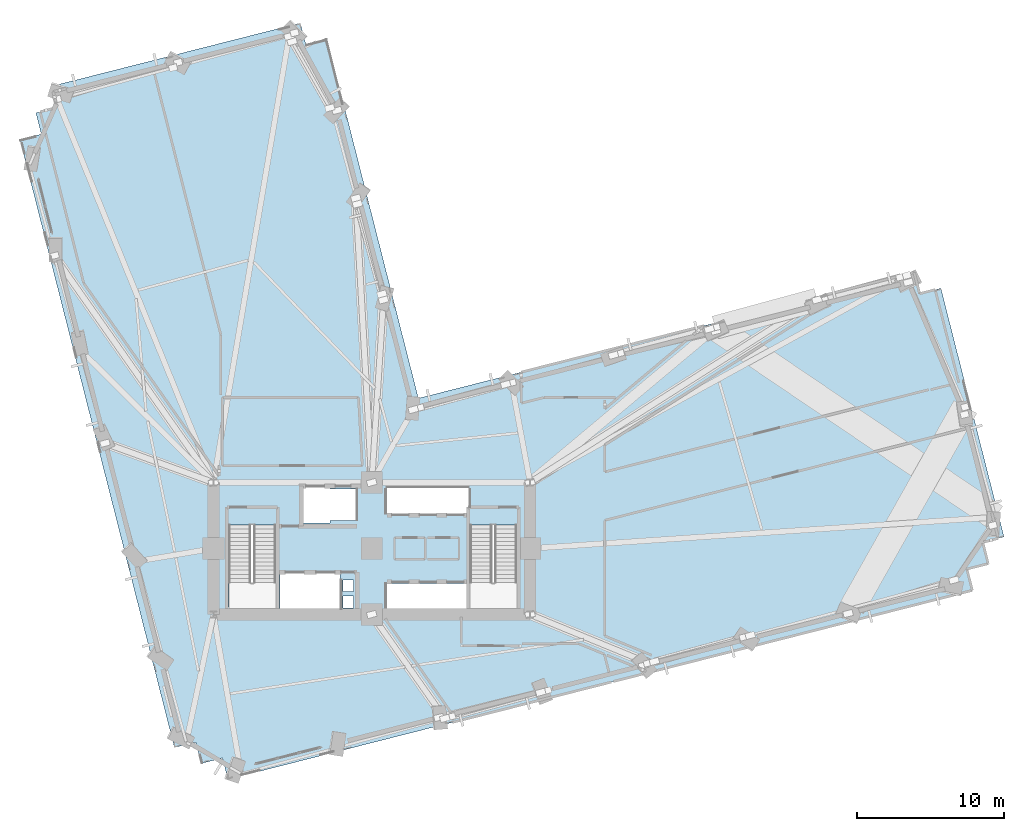
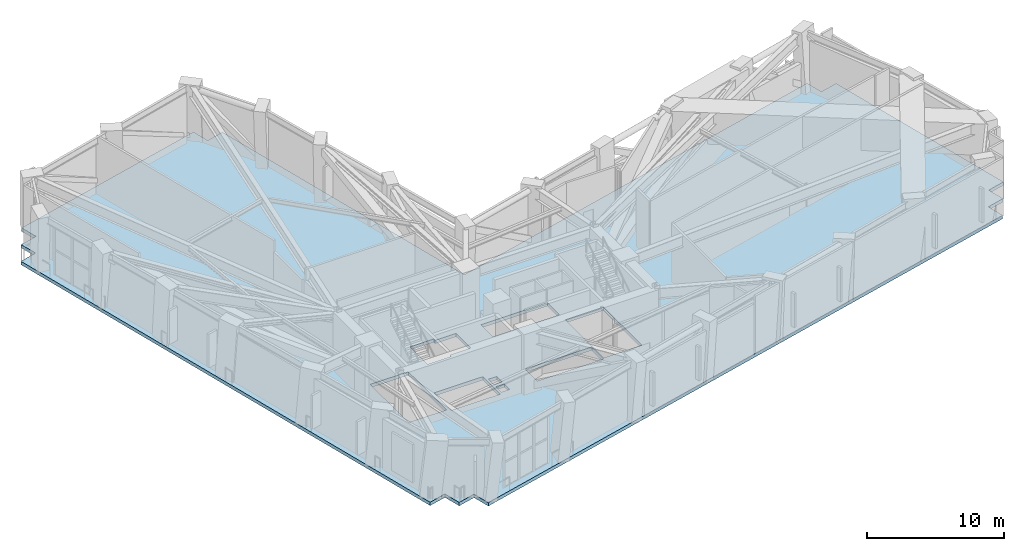
# One storey, part 7 of 17: 1 slab.
"""IFC4 building model written with IfcOpenShell, lengths in metres."""

from ifc_helpers import new_model, si_unit, direction, frame, origin, place, context, subcontext, project, spatial, polyline, outline, extrude, material, layer, layer_set, type_object, element, save


model = new_model("IFC4")

# Units and contexts
model_context = context("Model", 3, precision=1e-05, world=origin(), true_north=direction((0.0, 1.0)))
body_context = subcontext(model_context, "Body", "Model", "MODEL_VIEW")
ifc_project = project(units=[si_unit("LENGTHUNIT", "METRE"), si_unit("AREAUNIT", "SQUARE_METRE"), si_unit("VOLUMEUNIT", "CUBIC_METRE"), si_unit("PLANEANGLEUNIT", "RADIAN"), si_unit("MASSUNIT", "GRAM", prefix="KILO")], contexts=[model_context])

# Site, building, storey
site_placement = place(None, origin())
site = spatial("IfcSite", under=ifc_project, at=site_placement, CompositionType="ELEMENT")
building_placement = place(site_placement, origin())
building = spatial("IfcBuilding", under=site, at=building_placement, Name="Gaonmaruhae Medical Tower", CompositionType="ELEMENT")
storey_placement = place(building_placement, frame((0.0, 0.0, 83.0)))
storey = spatial("IfcBuildingStorey", under=building, at=storey_placement, Name="L19", CompositionType="ELEMENT", Elevation=83.0)

# Slab
ifc_material = material(Name="Concrete C40/50", Category="concrete")
ifc_layer = layer(ifc_material, 0.300048828125)
ifc_layer_set = layer_set([ifc_layer], Name="Concrete C40/50")
slab_type = type_object("IfcSlabType", Name="FS-300 Refuge & Plant Heavy Floor Slab", PredefinedType="FLOOR", material=ifc_layer_set)
slab_placement = place(storey_placement, frame((0.0, 0.0, -0.300048828125)))
element("IfcSlab", 1, at=slab_placement, inside=storey, type_object=slab_type, Name="L19 Structural Slab 1", PredefinedType="FLOOR", context=body_context, shape_type="SweptSolid", body=[
    extrude(outline(polyline([(14.9814453125, -3.452392578125), (65.769287109375, 9.446044921875), (65.39990234375, 10.89990234375), (66.853759765625, 11.269287109375), (66.484619140625, 12.72314453125), (67.9384765625, 13.09228515625), (63.630859375, 30.0537109375), (62.177001953125, 29.6845703125), (61.8076171875, 31.138427734375), (27.9814453125, 22.547607421875), (21.75390625, 47.069091796875), (20.300048828125, 46.699951171875), (19.930908203125, 48.15380859375), (2.96923828125, 43.84619140625), (3.33837890625, 42.392333984375), (1.884521484375, 42.023193359375), (2.25390625, 40.569091796875), (0.800048828125, 40.199951171875), (11.33544921875, -1.283203125), (12.789306640625, -0.913818359375), (13.158447265625, -2.36767578125), (14.6123046875, -1.99853515625), (14.9814453125, -3.452392578125)]), holes=[polyline([(23.550048828125, 8.25), (22.85009765625, 8.25), (22.85009765625, 9.050048828125), (23.550048828125, 9.050048828125), (23.550048828125, 8.25)]), polyline([(25.824951171875, 9.925048828125), (31.425048828125, 9.925048828125), (31.425048828125, 8.175048828125), (25.824951171875, 8.175048828125), (25.824951171875, 9.925048828125)]), polyline([(22.64990234375, 10.625), (22.64990234375, 8.074951171875), (18.550048828125, 8.074951171875), (18.550048828125, 10.625), (22.64990234375, 10.625)]), polyline([(23.550048828125, 9.35009765625), (22.85009765625, 9.35009765625), (22.85009765625, 10.14990234375), (23.550048828125, 10.14990234375), (23.550048828125, 9.35009765625)]), polyline([(15.050048828125, 13.889892578125), (18.25, 13.889892578125), (18.25, 8.300048828125), (15.050048828125, 8.300048828125), (15.050048828125, 13.889892578125)]), polyline([(31.5, 13.889892578125), (34.699951171875, 13.889892578125), (34.699951171875, 8.300048828125), (31.5, 8.300048828125), (31.5, 13.889892578125)]), polyline([(21.949951171875, 14.22509765625), (21.949951171875, 14.02490234375), (19.949951171875, 14.02490234375), (19.949951171875, 16.574951171875), (21.949951171875, 16.574951171875), (21.949951171875, 16.375), (23.72509765625, 16.375), (23.72509765625, 14.22509765625), (21.949951171875, 14.22509765625)]), polyline([(25.824951171875, 16.425048828125), (31.425048828125, 16.425048828125), (31.425048828125, 14.675048828125), (25.824951171875, 14.675048828125), (25.824951171875, 16.425048828125)])]), origin(), (0.0, 0.0, 1.0), 0.300048828125),
])

save(model, "model.ifc")
